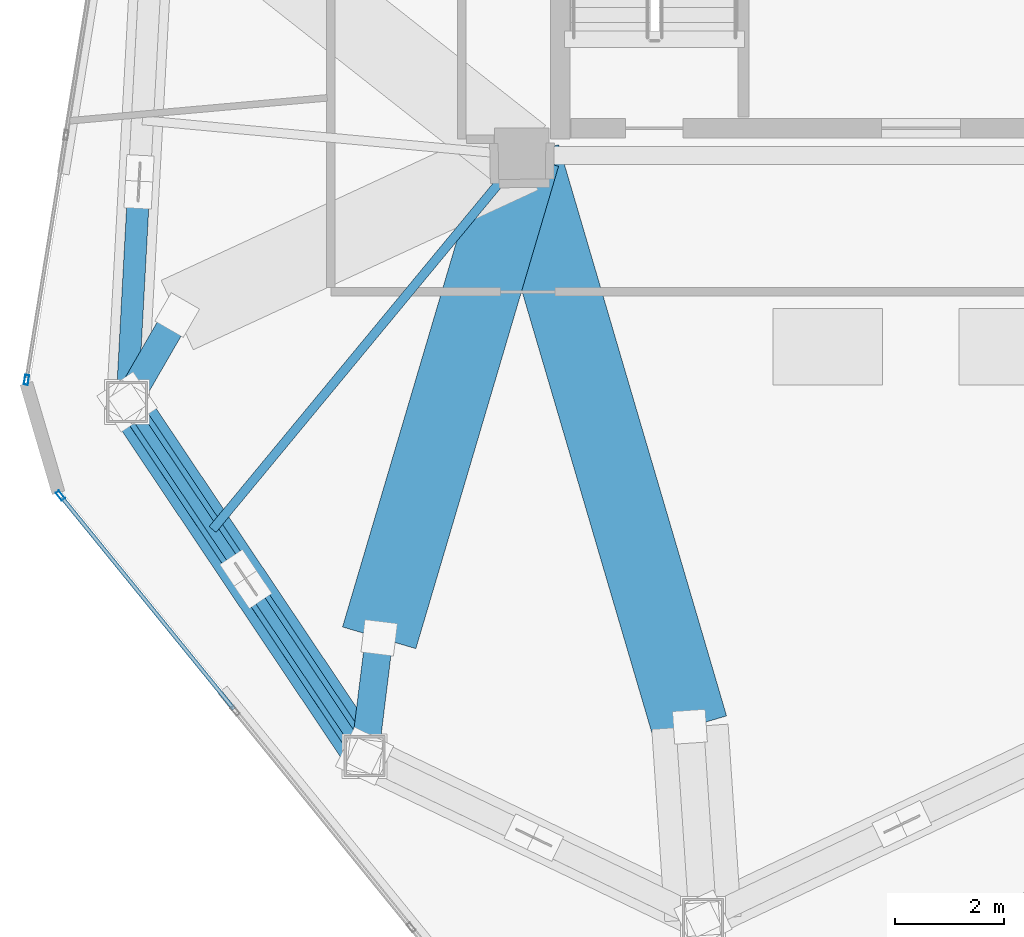
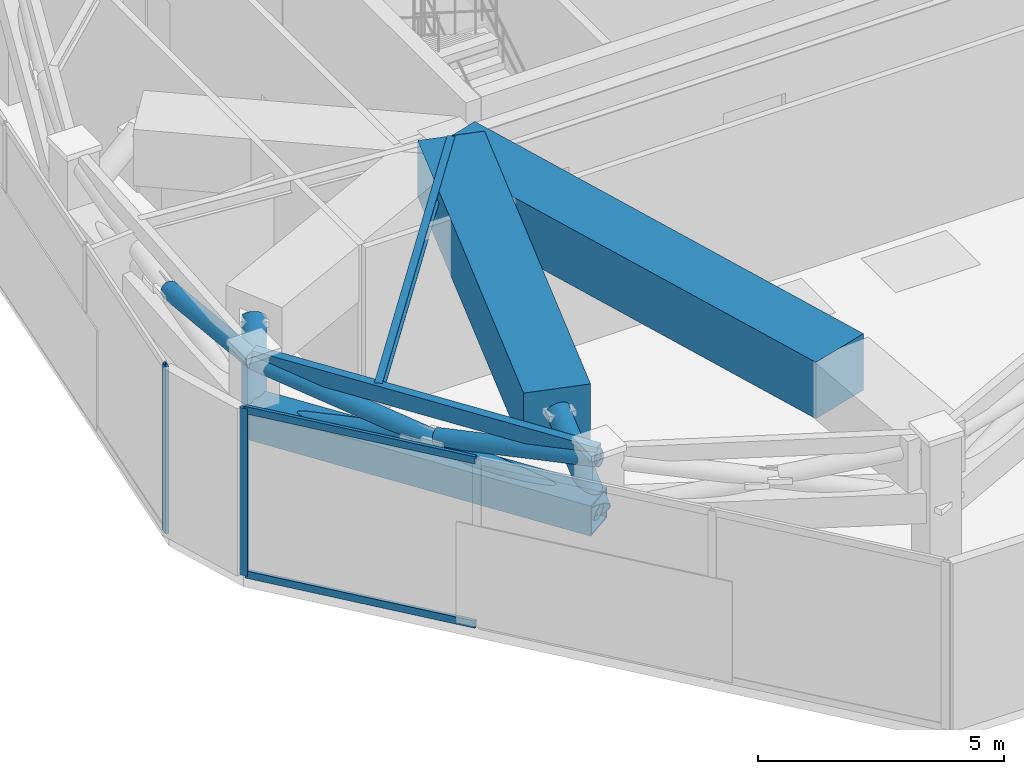
# One storey, part 3 of 19: 11 members, 4 beams, 2 elements without a shape of their own.
"""IFC4 building model written with IfcOpenShell, lengths in metres."""

import ifcopenshell
import ifcopenshell.guid

model = None  # the IFC model being written
_history = None  # IfcOwnerHistory: only IFC2X3 demands one
_inside = {}  # id of a spatial element -> (the spatial element, [elements in it])
_under = {}  # id of a project, library or spatial element -> (it, [spatial elements below it])
_declared = {}  # id of a project -> (the project, [libraries it declares])
_typed = {}  # id of a type object -> (the type object, [elements of that type])
_made_of = {}  # id of a material, layer set ... -> (it, [elements and type objects made of it])


def new_model(schema):
    """Start an empty IFC model of exactly this schema.

    Asked for "IFC4X3", IfcOpenShell would pick the latest addendum, in which some entities
    have other attributes; the version numbers below select the first issue.
    IFC2X3 requires an IfcOwnerHistory on every rooted entity: one is made here for all.
    """
    global model, _history
    if schema == "IFC4X3":
        model = ifcopenshell.file(schema_version=(4, 3, 0, 0))
    else:
        model = ifcopenshell.file(schema=schema)
    _inside.clear()
    _under.clear()
    _declared.clear()
    _typed.clear()
    _made_of.clear()
    _history = None
    if model.schema == "IFC2X3":
        org = make("IfcOrganization", Name="unknown")
        user = make(
            "IfcPersonAndOrganization",
            ThePerson=make("IfcPerson", FamilyName="unknown"),
            TheOrganization=org,
        )
        app = make(
            "IfcApplication",
            ApplicationDeveloper=org,
            Version="unknown",
            ApplicationFullName="unknown",
            ApplicationIdentifier="unknown",
        )
        _history = make(
            "IfcOwnerHistory",
            OwningUser=user,
            OwningApplication=app,
            ChangeAction="ADDED",
            CreationDate=0,
        )
    return model


def make(cls, **values):
    """One entity of the class cls with the attributes given. An attribute that is None is left unset."""
    return model.create_entity(
        cls, **{name: value for name, value in values.items() if value is not None}
    )


def rooted(cls, **values):
    """An entity with a GlobalId (a new one), such as an element, a storey or a relation."""
    return make(cls, GlobalId=ifcopenshell.guid.new(), OwnerHistory=_history, **values)


def si_unit(unit_type, name, prefix=None):
    """IfcSIUnit, for example si_unit("LENGTHUNIT", "METRE", prefix="MILLI")."""
    return make("IfcSIUnit", UnitType=unit_type, Prefix=prefix, Name=name)


def assignment(units):
    """IfcUnitAssignment: the units of a project."""
    return None if units is None else make("IfcUnitAssignment", Units=units)


def point(xyz):
    """IfcCartesianPoint."""
    return None if xyz is None else make("IfcCartesianPoint", Coordinates=xyz)


def direction(xyz):
    """IfcDirection."""
    return None if xyz is None else make("IfcDirection", DirectionRatios=xyz)


def frame(location, z_axis=None, x_axis=None):
    """IfcAxis2Placement3D, a coordinate frame: its origin and axes. An axis left out is left unset."""
    return make(
        "IfcAxis2Placement3D",
        Location=point(location),
        Axis=direction(z_axis),
        RefDirection=direction(x_axis),
    )


def frame_2d(location, x_axis=None):
    """IfcAxis2Placement2D, a coordinate frame in the plane: its origin and x axis."""
    return make(
        "IfcAxis2Placement2D", Location=point(location), RefDirection=direction(x_axis)
    )


def origin():
    """The frame at (0, 0, 0) with its axes left unset."""
    return frame((0.0, 0.0, 0.0))


def origin_2d():
    """The frame at (0, 0) in the plane with its x axis left unset."""
    return frame_2d((0.0, 0.0))


def place(relative_to, where):
    """IfcLocalPlacement: puts the frame where relative to a parent placement (None: the world)."""
    return make(
        "IfcLocalPlacement", PlacementRelTo=relative_to, RelativePlacement=where
    )


def context(
    kind, dimensions, precision=None, world=None, true_north=None, identifier=None
):
    """IfcGeometricRepresentationContext, for example the 3D "Model" context."""
    return make(
        "IfcGeometricRepresentationContext",
        ContextIdentifier=identifier,
        ContextType=kind,
        CoordinateSpaceDimension=dimensions,
        Precision=precision,
        WorldCoordinateSystem=world,
        TrueNorth=true_north,
    )


def subcontext(parent, identifier, kind, view, scale=None):
    """IfcGeometricRepresentationSubContext, for example "Body" below "Model"."""
    return make(
        "IfcGeometricRepresentationSubContext",
        ContextIdentifier=identifier,
        ContextType=kind,
        ParentContext=parent,
        TargetScale=scale,
        TargetView=view,
    )


def project(units=None, contexts=None):
    """IfcProject with its units and contexts."""
    return rooted(
        "IfcProject",
        Name="project",
        RepresentationContexts=contexts,
        UnitsInContext=assignment(units),
    )


def spatial(cls, under=None, at=None, **own):
    """A site, building, storey or space (cls), placed at a placement, below another one or the project."""
    s = rooted(cls, ObjectPlacement=at, **own)
    if under is not None:
        _under.setdefault(under.id(), (under, []))[1].append(s)
    return s


def profile(cls, at=None, kind="AREA", **sizes):
    """A parametric profile (cls). Its sizes go by their IFC names, for example OverallWidth=200.0."""
    return make(cls, ProfileType=kind, Position=at, **sizes)


def rectangle(**sizes):
    """IfcRectangleProfileDef."""
    return profile("IfcRectangleProfileDef", **sizes)


def hollow_rectangle(**sizes):
    """IfcRectangleHollowProfileDef."""
    return profile("IfcRectangleHollowProfileDef", **sizes)


def hollow_circle(**sizes):
    """IfcCircleHollowProfileDef."""
    return profile("IfcCircleHollowProfileDef", **sizes)


def i_section(**sizes):
    """IfcIShapeProfileDef."""
    return profile("IfcIShapeProfileDef", **sizes)


def extrude(swept, where, along, depth):
    """IfcExtrudedAreaSolid: the profile swept, set in the frame where, extruded along a direction by depth."""
    return make(
        "IfcExtrudedAreaSolid",
        SweptArea=swept,
        Position=where,
        ExtrudedDirection=direction(along),
        Depth=depth,
    )


def shape(context_of_items, identifier, shape_type, items):
    """IfcShapeRepresentation: the items that make up one representation, for example the "Body"."""
    return make(
        "IfcShapeRepresentation",
        ContextOfItems=context_of_items,
        RepresentationIdentifier=identifier,
        RepresentationType=shape_type,
        Items=items,
    )


def source(mapping_origin, context_of_items, identifier, shape_type, items):
    """IfcRepresentationMap: a shape defined once, which mapped items show again and again."""
    return make(
        "IfcRepresentationMap",
        MappingOrigin=mapping_origin,
        MappedRepresentation=shape(context_of_items, identifier, shape_type, items),
    )


def transform(
    local_origin,
    x_axis=None,
    y_axis=None,
    z_axis=None,
    scale=None,
    scale2=None,
    scale3=None,
    uniform=True,
):
    """IfcCartesianTransformationOperator3D, or its non-uniform kind. x_axis, y_axis, z_axis: its Axis1, 2, 3."""
    if uniform:
        return make(
            "IfcCartesianTransformationOperator3D",
            Axis1=direction(x_axis),
            Axis2=direction(y_axis),
            LocalOrigin=point(local_origin),
            Scale=scale,
            Axis3=direction(z_axis),
        )
    return make(
        "IfcCartesianTransformationOperator3DnonUniform",
        Axis1=direction(x_axis),
        Axis2=direction(y_axis),
        LocalOrigin=point(local_origin),
        Scale=scale,
        Axis3=direction(z_axis),
        Scale2=scale2,
        Scale3=scale3,
    )


def mapped(mapping_source, mapping_target):
    """IfcMappedItem: shows the shape of a source again, moved by a transform."""
    return make(
        "IfcMappedItem", MappingSource=mapping_source, MappingTarget=mapping_target
    )


def material(Name=None, Category=None):
    """IfcMaterial."""
    return make("IfcMaterial", Name=Name, Category=Category)


def layer(
    of_material, thickness, ventilated=None, Name=None, Category=None, Priority=None
):
    """IfcMaterialLayer: one layer of a wall or slab, of a material (None: an air gap)."""
    return make(
        "IfcMaterialLayer",
        Material=of_material,
        LayerThickness=thickness,
        IsVentilated=ventilated,
        Name=Name,
        Category=Category,
        Priority=Priority,
    )


def layer_set(layers, Name=None):
    """IfcMaterialLayerSet."""
    return make("IfcMaterialLayerSet", MaterialLayers=layers, LayerSetName=Name)


def material_profile(
    of_material, cross_section, Name=None, Category=None, Priority=None
):
    """IfcMaterialProfile: a cross section and its material."""
    return make(
        "IfcMaterialProfile",
        Name=Name,
        Material=of_material,
        Profile=cross_section,
        Priority=Priority,
        Category=Category,
    )


def profile_set(profiles, Name=None, composite=None):
    """IfcMaterialProfileSet."""
    return make(
        "IfcMaterialProfileSet",
        Name=Name,
        MaterialProfiles=profiles,
        CompositeProfile=composite,
    )


def made_of(thing, what):
    """Note that an element or type object is made of a material, layer set ...; save() writes the relation."""
    if what is not None:
        _made_of.setdefault(what.id(), (what, []))[1].append(thing)
    return thing


def type_object(cls, material=None, **own):
    """A type object (cls), such as IfcWallType, which elements share."""
    return made_of(rooted(cls, **own), material)


def type_shapes(of_type, sources):
    """Give a type object the sources (RepresentationMaps) that its elements show as mapped items."""
    of_type.RepresentationMaps = sources


def element(
    cls,
    number,
    at=None,
    inside=None,
    cuts=None,
    type_object=None,
    material=None,
    context=None,
    identifier="Body",
    shape_type=None,
    held_by="IfcProductDefinitionShape",
    body=None,
    shapes=None,
    **own,
):
    """One element of the class cls, such as IfcWall. Its Tag is "e" and its number.

    at: its placement. inside: the storey or other place that contains it. cuts: it is an
    opening in that element (IfcRelVoidsElement). A single representation is given by context,
    identifier, shape_type and body (its items); several are given by shapes. held_by: the class
    of the entity that holds the representations. save() writes the other relations.
    """
    e = rooted(cls, Tag="e%d" % number, ObjectPlacement=at, **own)
    if body is not None:
        shapes = [shape(context, identifier, shape_type, body)]
    if shapes is not None:
        e.Representation = make(held_by, Representations=shapes)
    if inside is not None:
        _inside.setdefault(inside.id(), (inside, []))[1].append(e)
    if cuts is not None:
        rooted(
            "IfcRelVoidsElement", RelatingBuildingElement=cuts, RelatedOpeningElement=e
        )
    if type_object is not None:
        _typed.setdefault(type_object.id(), (type_object, []))[1].append(e)
    return made_of(e, material)


def aggregate(whole, parts):
    """IfcRelAggregates: a whole, such as a stair, and the parts it consists of."""
    return rooted("IfcRelAggregates", RelatingObject=whole, RelatedObjects=parts)


def save(model, path):
    """Write the relations noted so far, then the file.

    IfcRelAggregates (storeys below a building ...), IfcRelContainedInSpatialStructure (elements
    in a storey), IfcRelDefinesByType, IfcRelAssociatesMaterial and IfcRelDeclares: one each for
    every whole, place, type object, material and project.
    """
    for whole, parts in _under.values():
        aggregate(whole, parts)
    for where, things in _inside.values():
        rooted(
            "IfcRelContainedInSpatialStructure",
            RelatedElements=things,
            RelatingStructure=where,
        )
    for kind, things in _typed.values():
        rooted("IfcRelDefinesByType", RelatedObjects=things, RelatingType=kind)
    for what, things in _made_of.values():
        rooted("IfcRelAssociatesMaterial", RelatedObjects=things, RelatingMaterial=what)
    for by, libraries in _declared.values():
        rooted("IfcRelDeclares", RelatingContext=by, RelatedDefinitions=libraries)
    model.write(path)


model = new_model("IFC4")

# Units and contexts
model_context = context("Model", 3, precision=1e-05, world=origin(), true_north=direction((0.0, 1.0)))
body_context = subcontext(model_context, "Body", "Model", "MODEL_VIEW")
ifc_project = project(units=[si_unit("LENGTHUNIT", "METRE"), si_unit("AREAUNIT", "SQUARE_METRE"), si_unit("VOLUMEUNIT", "CUBIC_METRE"), si_unit("PLANEANGLEUNIT", "RADIAN"), si_unit("MASSUNIT", "GRAM", prefix="KILO")], contexts=[model_context])

# Site, building, storey
site_placement = place(None, origin())
site = spatial("IfcSite", under=ifc_project, at=site_placement, CompositionType="ELEMENT")
building_placement = place(site_placement, origin())
building = spatial("IfcBuilding", under=site, at=building_placement, Name="Talar Marvaseh", CompositionType="ELEMENT")
storey_placement = place(building_placement, frame((0.0, 0.0, 236.199951171875)))
storey = spatial("IfcBuildingStorey", under=building, at=storey_placement, Name="L62", CompositionType="ELEMENT", Elevation=236.199951171875)

# Beams
ifc_material_1 = material(Name="Concrete C70/85", Category="concrete")
ifc_material_profile_1 = material_profile(ifc_material_1, rectangle(XDim=1.39990234375, YDim=1.39990234375, at=origin_2d()), Name="RC1400x1400")
ifc_profile_set_1 = profile_set([ifc_material_profile_1], Name="Concrete C70/85")
beam_type_1 = type_object("IfcBeamType", Name="Setback Deep Concrete Transfer Girder RC1400x1400", PredefinedType="BEAM", material=ifc_profile_set_1)
beam_1_placement = place(storey_placement, frame((21.77587890625, 15.0400390625, 3.449951171875), z_axis=(-0.28212146763, 0.959378693479, 0.0), x_axis=(-0.959378693479, -0.28212146763, 0.0)))
element("IfcBeam", 1, at=beam_1_placement, inside=storey, type_object=beam_type_1, Name="L62 Setback Backspan Transfer Girder 11", PredefinedType="BEAM", context=body_context, shape_type="SweptSolid", body=[
    extrude(rectangle(XDim=1.39990234375, YDim=1.39990234375, at=origin_2d()), origin(), (0.0, 0.0, 1.0), 10.90283203125),
])
beam_2_placement = place(storey_placement, frame((16.0869140625, 16.66796875, 3.449951171875), z_axis=(0.283702937759, 0.958912218666, 0.0), x_axis=(-0.958912218666, 0.283702937759, 0.0)))
element("IfcBeam", 2, at=beam_2_placement, inside=storey, type_object=beam_type_1, Name="L62 Setback Backspan Transfer Girder 12", PredefinedType="BEAM", context=body_context, shape_type="SweptSolid", body=[
    extrude(rectangle(XDim=1.39990234375, YDim=1.39990234375, at=origin_2d()), origin(), (0.0, 0.0, 1.0), 9.21044921875),
])
ifc_material_2 = material(Name="Steel S355", Category="steel")
ifc_material_profile_2 = material_profile(ifc_material_2, hollow_rectangle(XDim=0.199951171875, YDim=0.39990234375, WallThickness=0.013916015625, at=origin_2d()), Name="RHS400x200x14")
ifc_profile_set_2 = profile_set([ifc_material_profile_2], Name="Steel S355")
beam_type_2 = type_object("IfcBeamType", Name="Zone 3 Perimeter Spandrel Beam RHS400x200x14", PredefinedType="SPANDREL", material=ifc_profile_set_2)
beam_3_placement = place(storey_placement, frame((15.819091796875, 14.5009765625, 3.949951171875), z_axis=(-0.556805579613, 0.830642851358, 0.0), x_axis=(-0.830642851358, -0.556805579613, 0.0)))
element("IfcBeam", 3, at=beam_3_placement, inside=storey, type_object=beam_type_2, Name="L62 Zone 3 Perimeter Spandrel Beam RHS400x200x14", PredefinedType="SPANDREL", context=body_context, shape_type="SweptSolid", body=[
    extrude(hollow_rectangle(XDim=0.199951171875, YDim=0.39990234375, WallThickness=0.013916015625, at=origin_2d()), origin(), (0.0, 0.0, 1.0), 7.807373046875),
])
ifc_material_profile_3 = material_profile(ifc_material_2, i_section(OverallWidth=0.166015625, OverallDepth=0.31298828125, WebThickness=0.006591796875, FlangeThickness=0.01123046875, at=origin_2d()), Name="W310x45")
ifc_profile_set_3 = profile_set([ifc_material_profile_3], Name="Steel S355")
beam_type_3 = type_object("IfcBeamType", Name="Zone 3 Secondary Floor Joist W310x45", PredefinedType="JOIST", material=ifc_profile_set_3)
beam_4_placement = place(storey_placement, frame((13.036865234375, 18.6513671875, 3.99365234375), z_axis=(0.637250554087, 0.770656688362, 0.0), x_axis=(-0.770656688362, 0.637250554087, 0.0)))
element("IfcBeam", 4, at=beam_4_placement, inside=storey, type_object=beam_type_3, Name="L62 Zone 3 Secondary Floor Joist W310x45", PredefinedType="JOIST", context=body_context, shape_type="SweptSolid", body=[
    extrude(i_section(OverallWidth=0.166015625, OverallDepth=0.31298828125, WebThickness=0.006591796875, FlangeThickness=0.01123046875, at=origin_2d()), origin(), (0.0, 0.0, 1.0), 8.88671875),
])

# Members
ifc_material_3 = material(Name="Steel S460", Category="steel")
ifc_material_profile_4 = material_profile(ifc_material_3, hollow_circle(Radius=0.25390625, WallThickness=0.02001953125, at=origin_2d()), Name="CHS508x20")
ifc_profile_set_4 = profile_set([ifc_material_profile_4], Name="Steel S460")
member_type_1 = type_object("IfcMemberType", Name="Crown Frame Diagonal Brace CHS508x20", PredefinedType="BRACE", material=ifc_profile_set_4)
shared_shape_1 = source(origin(), body_context, "Body", "SweptSolid", [
    extrude(hollow_circle(Radius=0.25390625, WallThickness=0.02001953125, at=origin_2d()), origin(), (0.0, 0.0, 1.0), 2.140625),
])
member_1_placement = place(storey_placement, frame((11.471923828125, 20.986083984375, 2.550048828125), z_axis=(0.428398191662, 0.743195584896, 0.513940961563), x_axis=(-0.866371464372, 0.499400125872, 0.0)))
element("IfcMember", 5, at=member_1_placement, inside=storey, type_object=member_type_1, Name="L62 Setback Transfer Raked Strut 1", PredefinedType="BRACE", context=body_context, shape_type="MappedRepresentation", body=[
    mapped(shared_shape_1, transform((0.0, 0.0, 0.0), x_axis=(1.0, 0.0, 0.0), y_axis=(0.0, 1.0, 0.0), z_axis=(0.0, 0.0, 1.0), scale=1.0)),
])
shared_shape_2 = source(origin(), body_context, "Body", "SweptSolid", [
    extrude(hollow_circle(Radius=0.25390625, WallThickness=0.02001953125, at=origin_2d()), origin(), (0.0, 0.0, 1.0), 2.445068359375),
])
type_shapes(member_type_1, [shared_shape_1, shared_shape_2])
member_2_placement = place(storey_placement, frame((15.819091796875, 14.5009765625, 2.550048828125), z_axis=(0.109540831768, 0.886312144737, 0.44994620597), x_axis=(-0.99244894188, 0.122658459806, 0.0)))
element("IfcMember", 6, at=member_2_placement, inside=storey, type_object=member_type_1, Name="L62 Setback Transfer Raked Strut 12", PredefinedType="BRACE", context=body_context, shape_type="MappedRepresentation", body=[
    mapped(shared_shape_2, transform((0.0, 0.0, 0.0), x_axis=(1.0, 0.0, 0.0), y_axis=(0.0, 1.0, 0.0), z_axis=(0.0, 0.0, 1.0), scale=1.0)),
])
ifc_material_profile_5 = material_profile(ifc_material_3, hollow_circle(Radius=0.203125, WallThickness=0.01611328125, at=origin_2d()), Name="CHS406x16")
ifc_profile_set_5 = profile_set([ifc_material_profile_5], Name="Steel S460")
member_type_2 = type_object("IfcMemberType", Name="Belt Truss Diagonal Brace CHS406x16", PredefinedType="BRACE", material=ifc_profile_set_5)
shared_shape_3 = source(origin(), body_context, "Body", "SweptSolid", [
    extrude(hollow_circle(Radius=0.203125, WallThickness=0.01611328125, at=origin_2d()), origin(), (0.0, 0.0, 1.0), 3.851318359375),
])
member_3_placement = place(storey_placement, frame((11.677734375, 24.779052734375, 3.214599609375), z_axis=(-0.053438671248, -0.984843649481, 0.165006952858), x_axis=(0.998531110887, -0.054181367564, 0.0)))
element("IfcMember", 7, at=member_3_placement, inside=storey, type_object=member_type_2, Name="L62 Belt Truss Split Diagonal Upper 9", PredefinedType="BRACE", context=body_context, shape_type="MappedRepresentation", body=[
    mapped(shared_shape_3, transform((0.0, 0.0, 0.0), x_axis=(1.0, 0.0, 0.0), y_axis=(0.0, 1.0, 0.0), z_axis=(0.0, 0.0, 1.0), scale=1.0)),
])
ifc_material_profile_6 = material_profile(ifc_material_3, hollow_rectangle(XDim=0.75, YDim=0.75, WallThickness=0.0400390625, at=origin_2d()), Name="BOX750x750x40")
ifc_profile_set_6 = profile_set([ifc_material_profile_6], Name="Steel S460")
member_type_3 = type_object("IfcMemberType", Name="Belt Truss Chord Member BOX750x750x40", PredefinedType="CHORD", material=ifc_profile_set_6)
shared_shape_4 = source(origin(), body_context, "Body", "SweptSolid", [
    extrude(hollow_rectangle(XDim=0.75, YDim=0.75, WallThickness=0.0400390625, at=origin_2d()), origin(), (0.0, 0.0, 1.0), 7.807373046875),
])
type_shapes(member_type_3, [shared_shape_4])
member_4_placement = place(storey_placement, frame((15.819091796875, 14.5009765625, 2.5), z_axis=(-0.556805579613, 0.830642851358, 0.0), x_axis=(-0.830642851358, -0.556805579613, 0.0)))
element("IfcMember", 8, at=member_4_placement, inside=storey, type_object=member_type_3, Name="L62 Belt Truss Bottom Chord 8", PredefinedType="CHORD", context=body_context, shape_type="MappedRepresentation", body=[
    mapped(shared_shape_4, transform((0.0, 0.0, 0.0), x_axis=(1.0, 0.0, 0.0), y_axis=(0.0, 1.0, 0.0), z_axis=(0.0, 0.0, 1.0), scale=1.0)),
])
shared_shape_5 = source(origin(), body_context, "Body", "SweptSolid", [
    extrude(hollow_circle(Radius=0.203125, WallThickness=0.01611328125, at=origin_2d()), origin(), (0.0, 0.0, 1.0), 7.923095703125),
])
member_5_placement = place(storey_placement, frame((15.819091796875, 14.5009765625, 2.5), z_axis=(-0.548662493579, 0.818494991404, 0.170397820369), x_axis=(-0.830642851358, -0.556805579613, 0.0)))
element("IfcMember", 9, at=member_5_placement, inside=storey, type_object=member_type_2, Name="L62 Belt Truss Continuous Diagonal 8", PredefinedType="BRACE", context=body_context, shape_type="MappedRepresentation", body=[
    mapped(shared_shape_5, transform((0.0, 0.0, 0.0), x_axis=(1.0, 0.0, 0.0), y_axis=(0.0, 1.0, 0.0), z_axis=(0.0, 0.0, 1.0), scale=1.0)),
])
shared_shape_6 = source(origin(), body_context, "Body", "SweptSolid", [
    extrude(hollow_circle(Radius=0.203125, WallThickness=0.01611328125, at=origin_2d()), origin(), (0.0, 0.0, 1.0), 3.7216796875),
])
type_shapes(member_type_2, [shared_shape_3, shared_shape_5, shared_shape_6])
for number, where, z_axis, x_axis, name in (
    (10, (11.471923828125, 20.986083984375, 2.5), (0.548678550607, -0.818491424668, 0.170363246763), (0.830634192391, 0.556818496847, 0.0), "L62 Belt Truss Split Diagonal Lower 8"),
    (11, (13.777099609375, 17.547119140625, 3.216064453125), (0.548678550607, -0.818491424668, 0.170363246763), (0.830634192391, 0.556818496847, 0.0), "L62 Belt Truss Split Diagonal Upper 8"),
):
    element("IfcMember", number, at=place(storey_placement, frame(where, z_axis=z_axis, x_axis=x_axis)), inside=storey, type_object=member_type_2, Name=name, PredefinedType="BRACE", context=body_context, shape_type="MappedRepresentation", body=[
        mapped(shared_shape_6, transform((0.0, 0.0, 0.0), x_axis=(1.0, 0.0, 0.0), y_axis=(0.0, 1.0, 0.0), z_axis=(0.0, 0.0, 1.0), scale=1.0)),
    ])

# Curtain wall, member
ifc_material_4 = material(Name="Architectural Aluminium", Category="aluminium")
ifc_layer = layer(ifc_material_4, 0.18994140625)
ifc_layer_set = layer_set([ifc_layer], Name="Architectural Aluminium")
curtain_wall_type = type_object("IfcCurtainWallType", Name="Unitised Solar Atelier Curtain Wall Z3", PredefinedType="NOTDEFINED", material=ifc_layer_set)
curtain_wall_1_placement = place(storey_placement, origin())
curtain_wall_1 = element("IfcCurtainWall", 12, at=curtain_wall_1_placement, inside=storey, type_object=curtain_wall_type, Name="L62 Unitised Solar Atelier Curtain Wall Z3", PredefinedType="NOTDEFINED")
ifc_material_profile_7 = material_profile(ifc_material_4, hollow_rectangle(XDim=0.074951171875, YDim=0.179931640625, WallThickness=0.0048828125, at=origin_2d()), Name="RHS180x75x5")
ifc_profile_set_7 = profile_set([ifc_material_profile_7], Name="Architectural Aluminium")
member_type_4 = type_object("IfcMemberType", Name="Unitised Curtain Wall Standard Mullion RHS180x75x5", PredefinedType="MULLION", material=ifc_profile_set_7)
shared_shape_7 = source(origin(), body_context, "Body", "SweptSolid", [
    extrude(hollow_rectangle(XDim=0.074951171875, YDim=0.179931640625, WallThickness=0.0048828125, at=origin_2d()), origin(), (0.0, 0.0, 1.0), 4.150146484375),
])
type_shapes(member_type_4, [shared_shape_7])
member_6_placement = place(storey_placement, frame((10.2490234375, 19.273681640625, 0.0), z_axis=(0.0, 0.0, 1.0), x_axis=(-0.776086081319, -0.630626985138, 0.0)))
member_6 = element("IfcMember", 13, at=member_6_placement, type_object=member_type_4, Name="CW-Z3 mullion 4", PredefinedType="MULLION", context=body_context, shape_type="MappedRepresentation", body=[
    mapped(shared_shape_7, transform((0.0, 0.0, 0.0), x_axis=(1.0, 0.0, 0.0), y_axis=(0.0, 1.0, 0.0), z_axis=(0.0, 0.0, 1.0), scale=1.0)),
])

curtain_wall_2_placement = place(storey_placement, origin())
curtain_wall_2 = element("IfcCurtainWall", 14, at=curtain_wall_2_placement, inside=storey, type_object=curtain_wall_type, Name="L62 Unitised Solar Atelier Curtain Wall Z3", PredefinedType="NOTDEFINED")
member_7_placement = place(storey_placement, frame((9.6298828125, 21.390869140625, 0.0), z_axis=(0.0, 0.0, 1.0), x_axis=(-0.987186333682, 0.159571747475, 0.0)))
member_7 = element("IfcMember", 15, at=member_7_placement, type_object=member_type_4, Name="CW-Z3 mullion 1", PredefinedType="MULLION", context=body_context, shape_type="MappedRepresentation", body=[
    mapped(shared_shape_7, transform((0.0, 0.0, 0.0), x_axis=(1.0, 0.0, 0.0), y_axis=(0.0, 1.0, 0.0), z_axis=(0.0, 0.0, 1.0), scale=1.0)),
])
aggregate(curtain_wall_2, [member_7])

# Member
ifc_material_profile_8 = material_profile(ifc_material_4, hollow_rectangle(XDim=0.074951171875, YDim=0.179931640625, WallThickness=0.0048828125, at=origin_2d()), Name="RHS180x75x5")
ifc_profile_set_8 = profile_set([ifc_material_profile_8], Name="Architectural Aluminium")
member_type_5 = type_object("IfcMemberType", Name="Unitised Curtain Wall Transom RHS180x75x5", PredefinedType="USERDEFINED", material=ifc_profile_set_8)
shared_shape_8 = source(origin(), body_context, "Body", "SweptSolid", [
    extrude(hollow_rectangle(XDim=0.074951171875, YDim=0.179931640625, WallThickness=0.0048828125, at=origin_2d()), origin(), (0.0, 0.0, 1.0), 5.00048828125),
])
type_shapes(member_type_5, [shared_shape_8])
member_8_placement = place(storey_placement, frame((13.42626953125, 15.36376953125, 0.03759765625), z_axis=(-0.630660631744, 0.776058739767, 0.0), x_axis=(-0.776058739767, -0.630660631744, 0.0)))
member_8 = element("IfcMember", 16, at=member_8_placement, type_object=member_type_5, Name="CW-Z3 transom 3.1", ObjectType="TRANSOM", PredefinedType="USERDEFINED", context=body_context, shape_type="MappedRepresentation", body=[
    mapped(shared_shape_8, transform((0.0, 0.0, 0.0), x_axis=(1.0, 0.0, 0.0), y_axis=(0.0, 1.0, 0.0), z_axis=(0.0, 0.0, 1.0), scale=1.0)),
])

member_9_placement = place(storey_placement, frame((13.42626953125, 15.36376953125, 4.112548828125), z_axis=(-0.630660631744, 0.776058739767, 0.0), x_axis=(-0.776058739767, -0.630660631744, 0.0)))
member_9 = element("IfcMember", 17, at=member_9_placement, type_object=member_type_5, Name="CW-Z3 transom 3.2", ObjectType="TRANSOM", PredefinedType="USERDEFINED", context=body_context, shape_type="MappedRepresentation", body=[
    mapped(shared_shape_8, transform((0.0, 0.0, 0.0), x_axis=(1.0, 0.0, 0.0), y_axis=(0.0, 1.0, 0.0), z_axis=(0.0, 0.0, 1.0), scale=1.0)),
])

aggregate(curtain_wall_1, [member_6, member_8, member_9])

save(model, "model.ifc")
